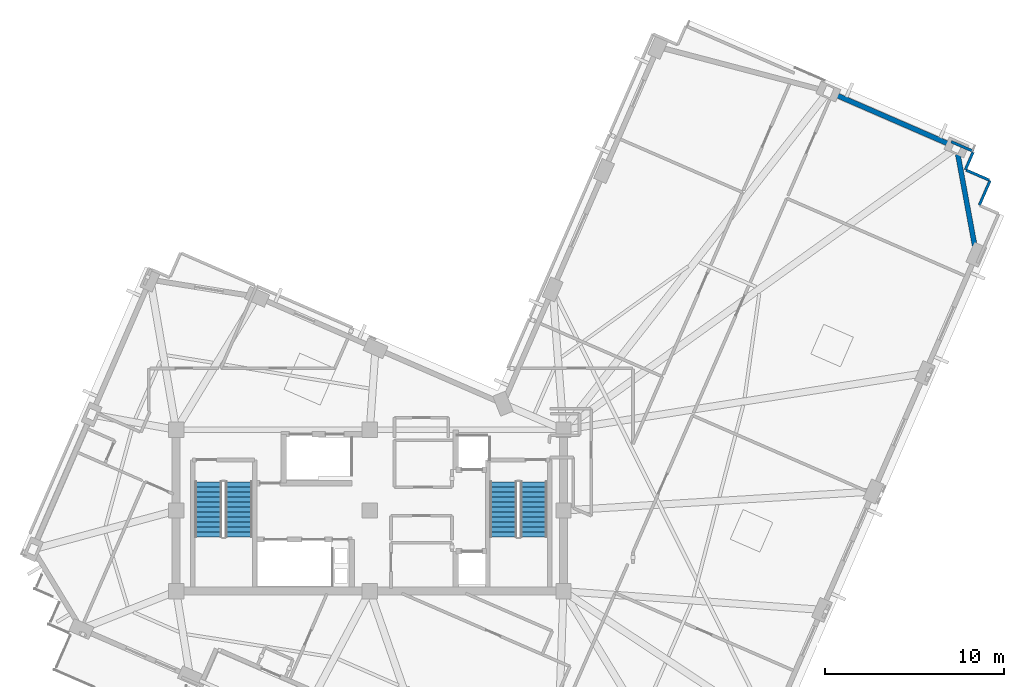
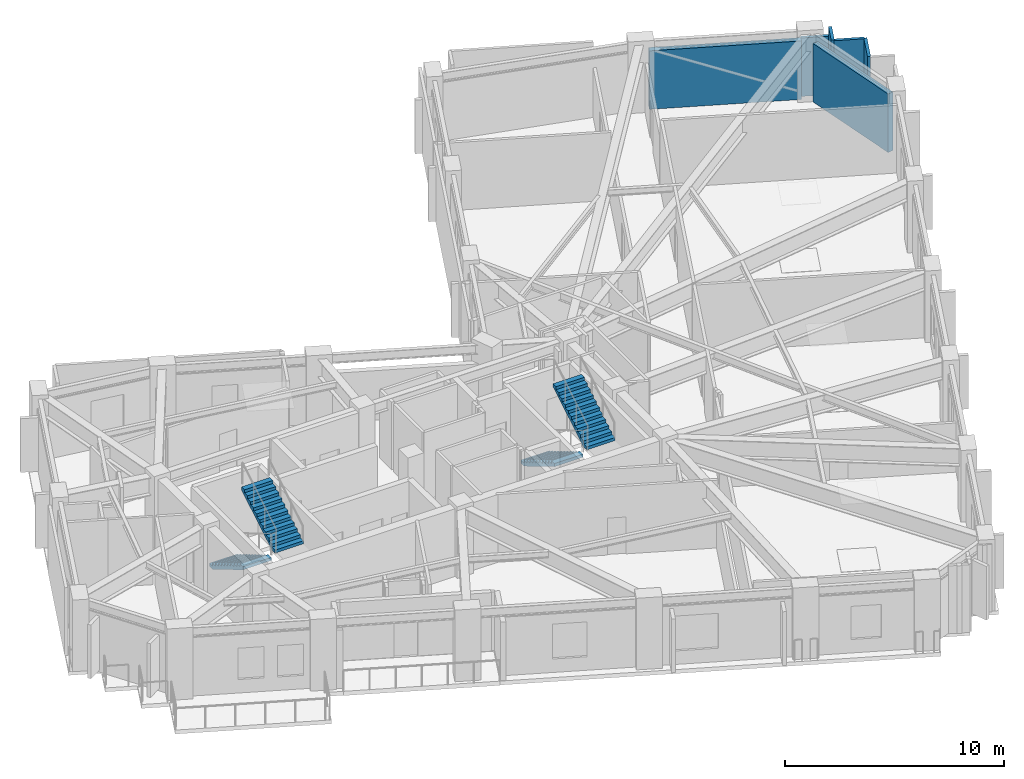
# One storey, part 8 of 12: 6 walls, 4 stair flights, 2 elements without a shape of their own.
"""IFC4 building model written with IfcOpenShell, lengths in metres."""

from ifc_helpers import new_model, si_unit, direction, frame, frame_2d, origin, place, context, subcontext, project, spatial, polyline, rectangle, outline, extrude, material, layer, layer_set, type_object, element, aggregate, save


model = new_model("IFC4")

# Units and contexts
model_context = context("Model", 3, precision=1e-05, world=origin(), true_north=direction((0.0, 1.0)))
body_context = subcontext(model_context, "Body", "Model", "MODEL_VIEW")
ifc_project = project(units=[si_unit("LENGTHUNIT", "METRE"), si_unit("AREAUNIT", "SQUARE_METRE"), si_unit("VOLUMEUNIT", "CUBIC_METRE"), si_unit("PLANEANGLEUNIT", "RADIAN"), si_unit("MASSUNIT", "GRAM", prefix="KILO")], contexts=[model_context])

# Site, building, storey
site_placement = place(None, origin())
site = spatial("IfcSite", under=ifc_project, at=site_placement, CompositionType="ELEMENT")
building_placement = place(site_placement, origin())
building = spatial("IfcBuilding", under=site, at=building_placement, Name="Gaonmaruhae Medical Tower", CompositionType="ELEMENT")
storey_placement = place(building_placement, frame((0.0, 0.0, 316.60009765625)))
storey = spatial("IfcBuildingStorey", under=building, at=storey_placement, Name="L76", CompositionType="ELEMENT", Elevation=316.60009765625)

# Walls
ifc_material_1 = material(Name="Precast concrete C45/55", Category="concrete")
ifc_layer_1 = layer(ifc_material_1, 0.280029296875)
ifc_layer_set_1 = layer_set([ifc_layer_1], Name="Precast concrete C45/55")
wall_type_1 = type_object("IfcWallType", Name="EW-280 Upper Precast Masonry-Frame Facade Wall", PredefinedType="SOLIDWALL", material=ifc_layer_set_1)
wall_1_placement = place(storey_placement, frame((57.597900390625, 32.16162109375, 0.0), z_axis=(0.0, 0.0, 1.0), x_axis=(0.181421889976, -0.983405357845, 0.0)))
element("IfcWall", 1, at=wall_1_placement, inside=storey, type_object=wall_type_1, Name="L76 Precast Masonry-Frame Wall S06-E01", PredefinedType="SOLIDWALL", context=body_context, shape_type="SweptSolid", body=[
    extrude(rectangle(XDim=5.292724609375, YDim=0.280029296875, at=frame_2d((2.646484375, 0.0))), origin(), (0.0, 0.0, 1.0), 3.264892578125),
])
wall_2_placement = place(storey_placement, frame((50.7373046875, 35.50439453125, 0.0), z_axis=(0.0, 0.0, 1.0), x_axis=(0.917057311373, -0.398755423359, 0.0)))
element("IfcWall", 2, at=wall_2_placement, inside=storey, type_object=wall_type_1, Name="L76 Precast Masonry-Frame Wall E01-E02", PredefinedType="SOLIDWALL", context=body_context, shape_type="SweptSolid", body=[
    extrude(rectangle(XDim=7.0048828125, YDim=0.280029296875, at=frame_2d((3.50244140625, 0.0))), origin(), (0.0, 0.0, 1.0), 3.264892578125),
])
ifc_material_2 = material(Name="Gypsum board partition", Category="gypsum")
ifc_layer_2 = layer(ifc_material_2, 0.14990234375)
ifc_layer_set_2 = layer_set([ifc_layer_2], Name="Gypsum board partition")
wall_type_2 = type_object("IfcWallType", Name="PW-150 Rated Clinical Corridor Partition", PredefinedType="PARTITIONING", material=ifc_layer_set_2)
wall_3_placement = place(storey_placement, frame((59.39404296875, 30.7041015625, 0.0), z_axis=(0.0, 0.0, 1.0), x_axis=(-0.398904712107, -0.916992383097, 0.0)))
element("IfcWall", 3, at=wall_3_placement, inside=storey, type_object=wall_type_2, Name="L76 Interior Partition L76-SUP04-30", PredefinedType="PARTITIONING", context=body_context, shape_type="SweptSolid", body=[
    extrude(rectangle(XDim=1.49951171875, YDim=0.14990234375, at=frame_2d((0.749755859375, 0.0))), origin(), (0.0, 0.0, 1.0), 3.77978515625),
])
wall_4_placement = place(storey_placement, frame((57.22900390625, 32.866943359375, 0.0), z_axis=(0.0, 0.0, 1.0), x_axis=(0.917222637379, -0.398374991032, 0.0)))
element("IfcWall", 4, at=wall_4_placement, inside=storey, type_object=wall_type_2, Name="L76 Interior Partition L76-SUP04-34", PredefinedType="PARTITIONING", context=body_context, shape_type="SweptSolid", body=[
    extrude(rectangle(XDim=1.34765625, YDim=0.14990234375, at=frame_2d((0.673828125, 0.0))), origin(), (0.0, 0.0, 1.0), 3.264892578125),
])
wall_5_placement = place(storey_placement, frame((58.445068359375, 32.283935546875, 0.0), z_axis=(0.0, 0.0, 1.0), x_axis=(-0.39911825621, -0.916899458807, 0.0)))
element("IfcWall", 5, at=wall_5_placement, inside=storey, type_object=wall_type_2, Name="L76 Interior Partition L76-SUP04-35", PredefinedType="PARTITIONING", context=body_context, shape_type="SweptSolid", body=[
    extrude(rectangle(XDim=1.06982421875, YDim=0.14990234375, at=frame_2d((0.534912109375, 0.0))), origin(), (0.0, 0.0, 1.0), 3.77978515625),
])
wall_6_placement = place(storey_placement, frame((58.06396484375, 31.282958984375, 0.0), z_axis=(0.0, 0.0, 1.0), x_axis=(0.91691198731, -0.399089473085, 0.0)))
element("IfcWall", 6, at=wall_6_placement, inside=storey, type_object=wall_type_2, Name="L76 Interior Partition L76-SUP04-36", PredefinedType="PARTITIONING", context=body_context, shape_type="SweptSolid", body=[
    extrude(rectangle(XDim=1.400390625, YDim=0.14990234375, at=frame_2d((0.7001953125, 0.0))), origin(), (0.0, 0.0, 1.0), 3.77978515625),
])

# Stair, stair flights
ifc_material_3 = material(Name="Concrete C40/50", Category="concrete")
stair_type = type_object("IfcStairType", Name="ST-T1 Primary Core Escape Dogleg Stair", PredefinedType="TWO_QUARTER_TURN_STAIR", material=ifc_material_3)
stair_1_placement = place(storey_placement, origin())
stair_1 = element("IfcStair", 7, at=stair_1_placement, inside=storey, type_object=stair_type, Name="L76 Protected Escape Stair ST-01", PredefinedType="TWO_QUARTER_TURN_STAIR")
stair_flight_type = type_object("IfcStairFlightType", Name="SF-T1 Primary Core Precast Stair Flight", PredefinedType="STRAIGHT", material=ifc_material_3)
stair_flight_1_placement = place(storey_placement, frame((15.800048828125, 13.89990234375, 0.0), z_axis=(0.0, 0.0, 1.0), x_axis=(0.0, -1.0, 0.0)))
stair_flight_1 = element("IfcStairFlight", 8, at=stair_flight_1_placement, type_object=stair_flight_type, Name="ST-01 flight 1", NumberOfRisers=12, NumberOfTreads=11, PredefinedType="STRAIGHT", RiserHeight=0.166666667, TreadLength=0.28, context=body_context, shape_type="SweptSolid", body=[
    extrude(outline(polyline([(0.0, 0.0), (0.0, 0.166748046875), (0.280029296875, 0.166748046875), (0.280029296875, 0.333251953125), (0.56005859375, 0.333251953125), (0.56005859375, 0.5), (0.840087890625, 0.5), (0.840087890625, 0.666748046875), (1.1201171875, 0.666748046875), (1.1201171875, 0.833251953125), (1.39990234375, 0.833251953125), (1.39990234375, 1.0), (1.679931640625, 1.0), (1.679931640625, 1.166748046875), (1.9599609375, 1.166748046875), (1.9599609375, 1.333251953125), (2.239990234375, 1.333251953125), (2.239990234375, 1.5), (2.52001953125, 1.5), (2.52001953125, 1.666748046875), (2.800048828125, 1.666748046875), (2.800048828125, 1.833251953125), (3.080078125, 1.833251953125), (3.080078125, 2.0), (3.080078125, 1.658935546875), (0.29296875, 0.0), (0.0, 0.0)])), frame((0.0, 0.75, 0.0), z_axis=(0.0, -1.0, 0.0), x_axis=(1.0, 0.0, 0.0)), (0.0, 0.0, 1.0), 1.5),
])
stair_flight_2_placement = place(storey_placement, frame((17.5, 10.820068359375, 2.0), z_axis=(0.0, 0.0, 1.0), x_axis=(0.0, 1.0, 0.0)))
stair_flight_2 = element("IfcStairFlight", 9, at=stair_flight_2_placement, type_object=stair_flight_type, Name="ST-01 flight 2", NumberOfRisers=12, NumberOfTreads=11, PredefinedType="STRAIGHT", RiserHeight=0.166666667, TreadLength=0.28, context=body_context, shape_type="SweptSolid", body=[
    extrude(outline(polyline([(0.0, 0.0), (0.0, 0.166748046875), (0.280029296875, 0.166748046875), (0.280029296875, 0.333251953125), (0.56005859375, 0.333251953125), (0.56005859375, 0.5), (0.840087890625, 0.5), (0.840087890625, 0.666748046875), (1.1201171875, 0.666748046875), (1.1201171875, 0.833251953125), (1.39990234375, 0.833251953125), (1.39990234375, 1.0), (1.679931640625, 1.0), (1.679931640625, 1.166748046875), (1.9599609375, 1.166748046875), (1.9599609375, 1.333251953125), (2.239990234375, 1.333251953125), (2.239990234375, 1.5), (2.52001953125, 1.5), (2.52001953125, 1.666748046875), (2.800048828125, 1.666748046875), (2.800048828125, 1.833251953125), (3.080078125, 1.833251953125), (3.080078125, 2.0), (3.080078125, 1.658935546875), (0.29296875, 0.0), (0.0, 0.0)])), frame((0.0, 0.75, 0.0), z_axis=(0.0, -1.0, 0.0), x_axis=(1.0, 0.0, 0.0)), (0.0, 0.0, 1.0), 1.5),
])
aggregate(stair_1, [stair_flight_1, stair_flight_2])

stair_2_placement = place(storey_placement, origin())
stair_2 = element("IfcStair", 10, at=stair_2_placement, inside=storey, type_object=stair_type, Name="L76 Protected Escape Stair ST-02", PredefinedType="TWO_QUARTER_TURN_STAIR")
stair_flight_3_placement = place(storey_placement, frame((32.25, 13.89990234375, 0.0), z_axis=(0.0, 0.0, 1.0), x_axis=(0.0, -1.0, 0.0)))
stair_flight_3 = element("IfcStairFlight", 11, at=stair_flight_3_placement, type_object=stair_flight_type, Name="ST-02 flight 1", NumberOfRisers=12, NumberOfTreads=11, PredefinedType="STRAIGHT", RiserHeight=0.166666667, TreadLength=0.28, context=body_context, shape_type="SweptSolid", body=[
    extrude(outline(polyline([(0.0, 0.0), (0.0, 0.166748046875), (0.280029296875, 0.166748046875), (0.280029296875, 0.333251953125), (0.56005859375, 0.333251953125), (0.56005859375, 0.5), (0.840087890625, 0.5), (0.840087890625, 0.666748046875), (1.1201171875, 0.666748046875), (1.1201171875, 0.833251953125), (1.39990234375, 0.833251953125), (1.39990234375, 1.0), (1.679931640625, 1.0), (1.679931640625, 1.166748046875), (1.9599609375, 1.166748046875), (1.9599609375, 1.333251953125), (2.239990234375, 1.333251953125), (2.239990234375, 1.5), (2.52001953125, 1.5), (2.52001953125, 1.666748046875), (2.800048828125, 1.666748046875), (2.800048828125, 1.833251953125), (3.080078125, 1.833251953125), (3.080078125, 2.0), (3.080078125, 1.658935546875), (0.29296875, 0.0), (0.0, 0.0)])), frame((0.0, 0.75, 0.0), z_axis=(0.0, -1.0, 0.0), x_axis=(1.0, 0.0, 0.0)), (0.0, 0.0, 1.0), 1.5),
])
stair_flight_4_placement = place(storey_placement, frame((33.949951171875, 10.820068359375, 2.0), z_axis=(0.0, 0.0, 1.0), x_axis=(0.0, 1.0, 0.0)))
stair_flight_4 = element("IfcStairFlight", 12, at=stair_flight_4_placement, type_object=stair_flight_type, Name="ST-02 flight 2", NumberOfRisers=12, NumberOfTreads=11, PredefinedType="STRAIGHT", RiserHeight=0.166666667, TreadLength=0.28, context=body_context, shape_type="SweptSolid", body=[
    extrude(outline(polyline([(0.0, 0.0), (0.0, 0.166748046875), (0.280029296875, 0.166748046875), (0.280029296875, 0.333251953125), (0.56005859375, 0.333251953125), (0.56005859375, 0.5), (0.840087890625, 0.5), (0.840087890625, 0.666748046875), (1.1201171875, 0.666748046875), (1.1201171875, 0.833251953125), (1.39990234375, 0.833251953125), (1.39990234375, 1.0), (1.679931640625, 1.0), (1.679931640625, 1.166748046875), (1.9599609375, 1.166748046875), (1.9599609375, 1.333251953125), (2.239990234375, 1.333251953125), (2.239990234375, 1.5), (2.52001953125, 1.5), (2.52001953125, 1.666748046875), (2.800048828125, 1.666748046875), (2.800048828125, 1.833251953125), (3.080078125, 1.833251953125), (3.080078125, 2.0), (3.080078125, 1.658935546875), (0.29296875, 0.0), (0.0, 0.0)])), frame((0.0, 0.75, 0.0), z_axis=(0.0, -1.0, 0.0), x_axis=(1.0, 0.0, 0.0)), (0.0, 0.0, 1.0), 1.5),
])
aggregate(stair_2, [stair_flight_3, stair_flight_4])

save(model, "model.ifc")
